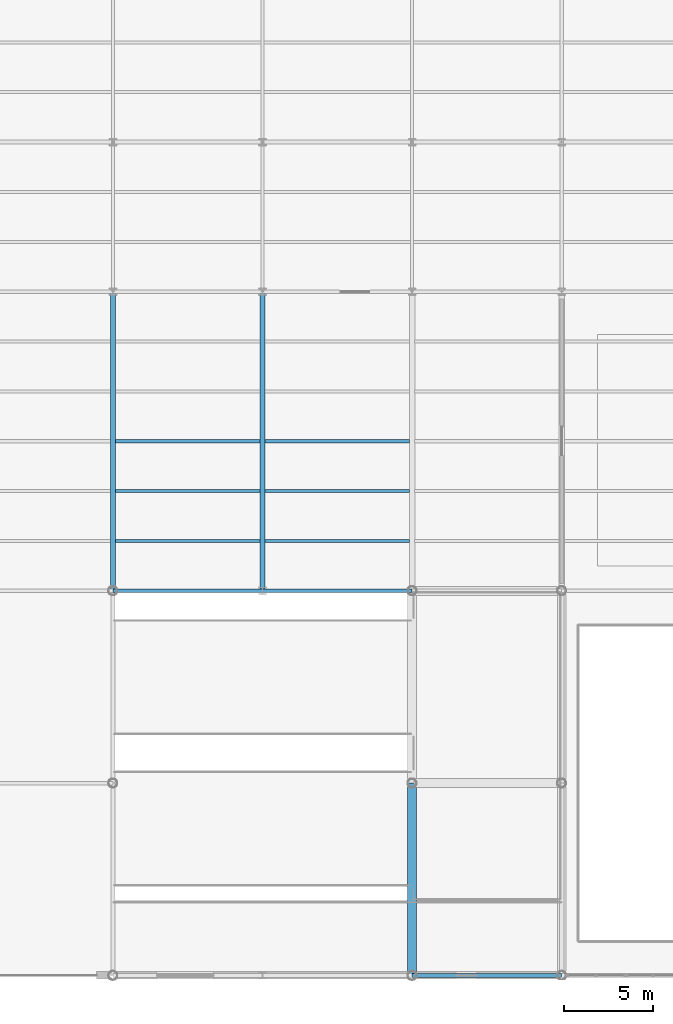
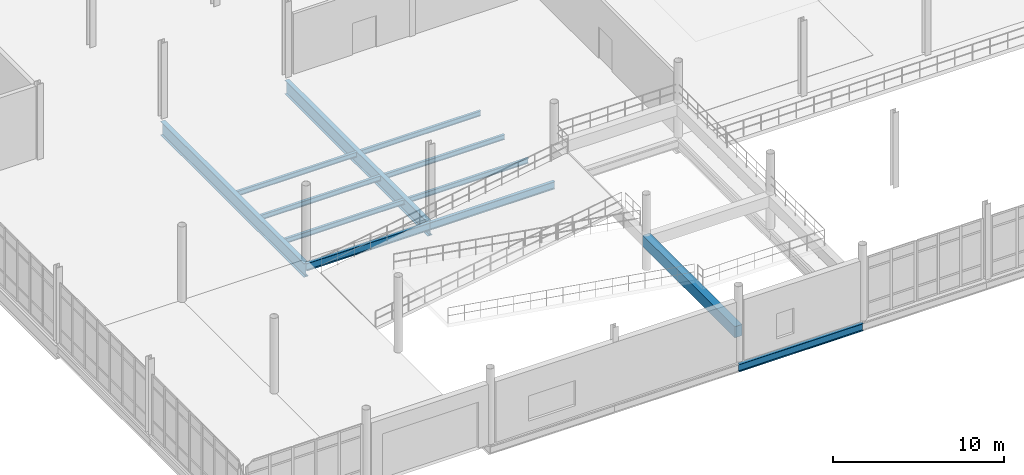
# One storey, part 24 of 111: 12 beams.
"""IFC4 building model written with IfcOpenShell, lengths in metres."""

import ifcopenshell
import ifcopenshell.guid

model = None  # the IFC model being written
_history = None  # IfcOwnerHistory: only IFC2X3 demands one
_inside = {}  # id of a spatial element -> (the spatial element, [elements in it])
_under = {}  # id of a project, library or spatial element -> (it, [spatial elements below it])
_declared = {}  # id of a project -> (the project, [libraries it declares])
_typed = {}  # id of a type object -> (the type object, [elements of that type])
_made_of = {}  # id of a material, layer set ... -> (it, [elements and type objects made of it])


def new_model(schema):
    """Start an empty IFC model of exactly this schema.

    Asked for "IFC4X3", IfcOpenShell would pick the latest addendum, in which some entities
    have other attributes; the version numbers below select the first issue.
    IFC2X3 requires an IfcOwnerHistory on every rooted entity: one is made here for all.
    """
    global model, _history
    if schema == "IFC4X3":
        model = ifcopenshell.file(schema_version=(4, 3, 0, 0))
    else:
        model = ifcopenshell.file(schema=schema)
    _inside.clear()
    _under.clear()
    _declared.clear()
    _typed.clear()
    _made_of.clear()
    _history = None
    if model.schema == "IFC2X3":
        org = make("IfcOrganization", Name="unknown")
        user = make(
            "IfcPersonAndOrganization",
            ThePerson=make("IfcPerson", FamilyName="unknown"),
            TheOrganization=org,
        )
        app = make(
            "IfcApplication",
            ApplicationDeveloper=org,
            Version="unknown",
            ApplicationFullName="unknown",
            ApplicationIdentifier="unknown",
        )
        _history = make(
            "IfcOwnerHistory",
            OwningUser=user,
            OwningApplication=app,
            ChangeAction="ADDED",
            CreationDate=0,
        )
    return model


def make(cls, **values):
    """One entity of the class cls with the attributes given. An attribute that is None is left unset."""
    return model.create_entity(
        cls, **{name: value for name, value in values.items() if value is not None}
    )


def rooted(cls, **values):
    """An entity with a GlobalId (a new one), such as an element, a storey or a relation."""
    return make(cls, GlobalId=ifcopenshell.guid.new(), OwnerHistory=_history, **values)


def si_unit(unit_type, name, prefix=None):
    """IfcSIUnit, for example si_unit("LENGTHUNIT", "METRE", prefix="MILLI")."""
    return make("IfcSIUnit", UnitType=unit_type, Prefix=prefix, Name=name)


def assignment(units):
    """IfcUnitAssignment: the units of a project."""
    return None if units is None else make("IfcUnitAssignment", Units=units)


def point(xyz):
    """IfcCartesianPoint."""
    return None if xyz is None else make("IfcCartesianPoint", Coordinates=xyz)


def direction(xyz):
    """IfcDirection."""
    return None if xyz is None else make("IfcDirection", DirectionRatios=xyz)


def frame(location, z_axis=None, x_axis=None):
    """IfcAxis2Placement3D, a coordinate frame: its origin and axes. An axis left out is left unset."""
    return make(
        "IfcAxis2Placement3D",
        Location=point(location),
        Axis=direction(z_axis),
        RefDirection=direction(x_axis),
    )


def frame_2d(location, x_axis=None):
    """IfcAxis2Placement2D, a coordinate frame in the plane: its origin and x axis."""
    return make(
        "IfcAxis2Placement2D", Location=point(location), RefDirection=direction(x_axis)
    )


def origin():
    """The frame at (0, 0, 0) with its axes left unset."""
    return frame((0.0, 0.0, 0.0))


def origin_2d():
    """The frame at (0, 0) in the plane with its x axis left unset."""
    return frame_2d((0.0, 0.0))


def place(relative_to, where):
    """IfcLocalPlacement: puts the frame where relative to a parent placement (None: the world)."""
    return make(
        "IfcLocalPlacement", PlacementRelTo=relative_to, RelativePlacement=where
    )


def context(
    kind, dimensions, precision=None, world=None, true_north=None, identifier=None
):
    """IfcGeometricRepresentationContext, for example the 3D "Model" context."""
    return make(
        "IfcGeometricRepresentationContext",
        ContextIdentifier=identifier,
        ContextType=kind,
        CoordinateSpaceDimension=dimensions,
        Precision=precision,
        WorldCoordinateSystem=world,
        TrueNorth=true_north,
    )


def subcontext(parent, identifier, kind, view, scale=None):
    """IfcGeometricRepresentationSubContext, for example "Body" below "Model"."""
    return make(
        "IfcGeometricRepresentationSubContext",
        ContextIdentifier=identifier,
        ContextType=kind,
        ParentContext=parent,
        TargetScale=scale,
        TargetView=view,
    )


def project(units=None, contexts=None):
    """IfcProject with its units and contexts."""
    return rooted(
        "IfcProject",
        Name="project",
        RepresentationContexts=contexts,
        UnitsInContext=assignment(units),
    )


def spatial(cls, under=None, at=None, **own):
    """A site, building, storey or space (cls), placed at a placement, below another one or the project."""
    s = rooted(cls, ObjectPlacement=at, **own)
    if under is not None:
        _under.setdefault(under.id(), (under, []))[1].append(s)
    return s


def profile(cls, at=None, kind="AREA", **sizes):
    """A parametric profile (cls). Its sizes go by their IFC names, for example OverallWidth=200.0."""
    return make(cls, ProfileType=kind, Position=at, **sizes)


def rectangle(**sizes):
    """IfcRectangleProfileDef."""
    return profile("IfcRectangleProfileDef", **sizes)


def i_section(**sizes):
    """IfcIShapeProfileDef."""
    return profile("IfcIShapeProfileDef", **sizes)


def extrude(swept, where, along, depth):
    """IfcExtrudedAreaSolid: the profile swept, set in the frame where, extruded along a direction by depth."""
    return make(
        "IfcExtrudedAreaSolid",
        SweptArea=swept,
        Position=where,
        ExtrudedDirection=direction(along),
        Depth=depth,
    )


def shape(context_of_items, identifier, shape_type, items):
    """IfcShapeRepresentation: the items that make up one representation, for example the "Body"."""
    return make(
        "IfcShapeRepresentation",
        ContextOfItems=context_of_items,
        RepresentationIdentifier=identifier,
        RepresentationType=shape_type,
        Items=items,
    )


def material(Name=None, Category=None):
    """IfcMaterial."""
    return make("IfcMaterial", Name=Name, Category=Category)


def material_profile(
    of_material, cross_section, Name=None, Category=None, Priority=None
):
    """IfcMaterialProfile: a cross section and its material."""
    return make(
        "IfcMaterialProfile",
        Name=Name,
        Material=of_material,
        Profile=cross_section,
        Priority=Priority,
        Category=Category,
    )


def profile_set(profiles, Name=None, composite=None):
    """IfcMaterialProfileSet."""
    return make(
        "IfcMaterialProfileSet",
        Name=Name,
        MaterialProfiles=profiles,
        CompositeProfile=composite,
    )


def made_of(thing, what):
    """Note that an element or type object is made of a material, layer set ...; save() writes the relation."""
    if what is not None:
        _made_of.setdefault(what.id(), (what, []))[1].append(thing)
    return thing


def type_object(cls, material=None, **own):
    """A type object (cls), such as IfcWallType, which elements share."""
    return made_of(rooted(cls, **own), material)


def element(
    cls,
    number,
    at=None,
    inside=None,
    cuts=None,
    type_object=None,
    material=None,
    context=None,
    identifier="Body",
    shape_type=None,
    held_by="IfcProductDefinitionShape",
    body=None,
    shapes=None,
    **own,
):
    """One element of the class cls, such as IfcWall. Its Tag is "e" and its number.

    at: its placement. inside: the storey or other place that contains it. cuts: it is an
    opening in that element (IfcRelVoidsElement). A single representation is given by context,
    identifier, shape_type and body (its items); several are given by shapes. held_by: the class
    of the entity that holds the representations. save() writes the other relations.
    """
    e = rooted(cls, Tag="e%d" % number, ObjectPlacement=at, **own)
    if body is not None:
        shapes = [shape(context, identifier, shape_type, body)]
    if shapes is not None:
        e.Representation = make(held_by, Representations=shapes)
    if inside is not None:
        _inside.setdefault(inside.id(), (inside, []))[1].append(e)
    if cuts is not None:
        rooted(
            "IfcRelVoidsElement", RelatingBuildingElement=cuts, RelatedOpeningElement=e
        )
    if type_object is not None:
        _typed.setdefault(type_object.id(), (type_object, []))[1].append(e)
    return made_of(e, material)


def aggregate(whole, parts):
    """IfcRelAggregates: a whole, such as a stair, and the parts it consists of."""
    return rooted("IfcRelAggregates", RelatingObject=whole, RelatedObjects=parts)


def save(model, path):
    """Write the relations noted so far, then the file.

    IfcRelAggregates (storeys below a building ...), IfcRelContainedInSpatialStructure (elements
    in a storey), IfcRelDefinesByType, IfcRelAssociatesMaterial and IfcRelDeclares: one each for
    every whole, place, type object, material and project.
    """
    for whole, parts in _under.values():
        aggregate(whole, parts)
    for where, things in _inside.values():
        rooted(
            "IfcRelContainedInSpatialStructure",
            RelatedElements=things,
            RelatingStructure=where,
        )
    for kind, things in _typed.values():
        rooted("IfcRelDefinesByType", RelatedObjects=things, RelatingType=kind)
    for what, things in _made_of.values():
        rooted("IfcRelAssociatesMaterial", RelatedObjects=things, RelatingMaterial=what)
    for by, libraries in _declared.values():
        rooted("IfcRelDeclares", RelatingContext=by, RelatedDefinitions=libraries)
    model.write(path)


model = new_model("IFC4")

# Units and contexts
model_context = context("Model", 3, precision=1e-05, world=origin(), true_north=direction((0.0, 1.0)))
body_context = subcontext(model_context, "Body", "Model", "MODEL_VIEW")
ifc_project = project(units=[si_unit("LENGTHUNIT", "METRE"), si_unit("AREAUNIT", "SQUARE_METRE"), si_unit("VOLUMEUNIT", "CUBIC_METRE"), si_unit("PLANEANGLEUNIT", "RADIAN"), si_unit("MASSUNIT", "GRAM", prefix="KILO"), si_unit("THERMODYNAMICTEMPERATUREUNIT", "KELVIN"), si_unit("POWERUNIT", "WATT")], contexts=[model_context])

# Site, building, storey
site_placement = place(None, origin())
site = spatial("IfcSite", under=ifc_project, at=site_placement, CompositionType="ELEMENT")
building_placement = place(site_placement, origin())
building = spatial("IfcBuilding", under=site, at=building_placement, Name="Tembeka Court Mobility Hub", CompositionType="ELEMENT")
storey_placement = place(building_placement, origin())
storey = spatial("IfcBuildingStorey", under=building, at=storey_placement, Name="L00", CompositionType="ELEMENT", Elevation=0.0)

# Beams
ifc_material_1 = material(Name="Concrete C40/50", Category="concrete")
ifc_material_profile_1 = material_profile(ifc_material_1, rectangle(XDim=0.5, YDim=0.800048828125, at=origin_2d()), Name="RC-BM 500x800")
ifc_profile_set_1 = profile_set([ifc_material_profile_1], Name="Concrete C40/50")
beam_type_1 = type_object("IfcBeamType", Name="BM-B05", PredefinedType="BEAM", material=ifc_profile_set_1)
beam_1_placement = place(storey_placement, frame((33.60009765625, 0.0, 2.050048828125), z_axis=(0.0, 1.0, 0.0), x_axis=(-1.0, 0.0, 0.0)))
element("IfcBeam", 1, at=beam_1_placement, inside=storey, type_object=beam_type_1, Name="Car park vehicle ramp South R2 L00 half-landing beam EM1", PredefinedType="BEAM", context=body_context, shape_type="SweptSolid", body=[
    extrude(rectangle(XDim=0.5, YDim=0.800048828125, at=origin_2d()), origin(), (0.0, 0.0, 1.0), 10.800048828125),
])
ifc_material_2 = material(Name="Steel S355", Category="steel")
ifc_material_profile_2 = material_profile(ifc_material_2, i_section(OverallWidth=0.2099609375, OverallDepth=0.537109375, WebThickness=0.0107421875, FlangeThickness=0.017333984375, FilletRadius=0.0126953125, at=origin_2d()), Name="UKB 533x210x101")
ifc_profile_set_2 = profile_set([ifc_material_profile_2], Name="Steel S355")
beam_type_2 = type_object("IfcBeamType", Name="BM-G03", PredefinedType="USERDEFINED", material=ifc_profile_set_2)
for number, where, z_axis, x_axis, name in (
    (2, (33.60009765625, 0.0, -0.548583984375), (1.0, 0.0, 0.0), (0.0, 1.0, 0.0), "Beam G03 (BM-L00-X0004)"),
    (3, (16.800048828125, 21.60009765625, -0.548583984375), (1.0, 0.0, 0.0), (0.0, 1.0, 0.0), "Beam G03 (BM-L00-X0026)"),
):
    element("IfcBeam", number, at=place(storey_placement, frame(where, z_axis=z_axis, x_axis=x_axis)), inside=storey, type_object=beam_type_2, Name=name, ObjectType="GIRDER", PredefinedType="USERDEFINED", context=body_context, shape_type="SweptSolid", body=[
        extrude(i_section(OverallWidth=0.2099609375, OverallDepth=0.537109375, WebThickness=0.0107421875, FlangeThickness=0.017333984375, FilletRadius=0.0126953125, at=origin_2d()), origin(), (0.0, 0.0, 1.0), 8.39990234375),
    ])
beam_2_placement = place(storey_placement, frame((25.199951171875, 21.60009765625, -0.548583984375), z_axis=(1.0, 0.0, 0.0), x_axis=(0.0, 1.0, 0.0)))
element("IfcBeam", 4, at=beam_2_placement, inside=storey, type_object=beam_type_2, Name="Beam G03 (BM-L00-X0027)", ObjectType="GIRDER", PredefinedType="USERDEFINED", context=body_context, shape_type="SweptSolid", body=[
    extrude(i_section(OverallWidth=0.2099609375, OverallDepth=0.537109375, WebThickness=0.0107421875, FlangeThickness=0.017333984375, FilletRadius=0.0126953125, at=origin_2d()), origin(), (0.0, 0.0, 1.0), 8.400146484375),
])
ifc_material_profile_3 = material_profile(ifc_material_2, i_section(OverallWidth=0.172119140625, OverallDepth=0.35498046875, WebThickness=0.00732421875, FlangeThickness=0.011474609375, FilletRadius=0.01025390625, at=origin_2d()), Name="UKB 356x171x51")
ifc_profile_set_3 = profile_set([ifc_material_profile_3], Name="Steel S355")
beam_type_3 = type_object("IfcBeamType", Name="BM-J01", PredefinedType="JOIST", material=ifc_profile_set_3)
for number, where, z_axis, x_axis, name in (
    (5, (16.945068359375, 24.39990234375, -0.45751953125), (1.0, 0.0, 0.0), (0.0, 1.0, 0.0), "Beam J01 (JST-L00-0358)"),
    (6, (16.945068359375, 27.199951171875, -0.45751953125), (1.0, 0.0, 0.0), (0.0, 1.0, 0.0), "Beam J01 (JST-L00-0359)"),
    (7, (16.945068359375, 30.0, -0.45751953125), (1.0, 0.0, 0.0), (0.0, 1.0, 0.0), "Beam J01 (JST-L00-0360)"),
):
    element("IfcBeam", number, at=place(storey_placement, frame(where, z_axis=z_axis, x_axis=x_axis)), inside=storey, type_object=beam_type_3, Name=name, PredefinedType="JOIST", context=body_context, shape_type="SweptSolid", body=[
        extrude(i_section(OverallWidth=0.172119140625, OverallDepth=0.35498046875, WebThickness=0.00732421875, FlangeThickness=0.011474609375, FilletRadius=0.01025390625, at=origin_2d()), origin(), (0.0, 0.0, 1.0), 8.10986328125),
    ])
for number, where, z_axis, x_axis, name in (
    (8, (25.344970703125, 24.39990234375, -0.45751953125), (1.0, 0.0, 0.0), (0.0, 1.0, 0.0), "Beam J01 (JST-L00-0378)"),
    (9, (25.344970703125, 27.199951171875, -0.45751953125), (1.0, 0.0, 0.0), (0.0, 1.0, 0.0), "Beam J01 (JST-L00-0379)"),
    (10, (25.344970703125, 30.0, -0.45751953125), (1.0, 0.0, 0.0), (0.0, 1.0, 0.0), "Beam J01 (JST-L00-0380)"),
):
    element("IfcBeam", number, at=place(storey_placement, frame(where, z_axis=z_axis, x_axis=x_axis)), inside=storey, type_object=beam_type_3, Name=name, PredefinedType="JOIST", context=body_context, shape_type="SweptSolid", body=[
        extrude(i_section(OverallWidth=0.172119140625, OverallDepth=0.35498046875, WebThickness=0.00732421875, FlangeThickness=0.011474609375, FilletRadius=0.01025390625, at=origin_2d()), origin(), (0.0, 0.0, 1.0), 8.110107421875),
    ])
ifc_material_profile_4 = material_profile(ifc_material_2, i_section(OverallWidth=0.300048828125, OverallDepth=1.0, WebThickness=0.01904296875, FlangeThickness=0.035888671875, FilletRadius=0.030029296875, at=origin_2d()), Name="HEB 1000")
ifc_profile_set_4 = profile_set([ifc_material_profile_4], Name="Steel S355")
beam_type_4 = type_object("IfcBeamType", Name="BM-TG01", PredefinedType="USERDEFINED", material=ifc_profile_set_4)
for number, where, z_axis, x_axis, name in (
    (11, (16.800048828125, 21.60009765625, -0.780029296875), (0.0, 1.0, 0.0), (-1.0, 0.0, 0.0), "Beam TG01 (BM-L00-Y0188)"),
    (12, (25.199951171875, 21.60009765625, -0.780029296875), (0.0, 1.0, 0.0), (-1.0, 0.0, 0.0), "Beam TG01 (BM-L00-Y0197)"),
):
    element("IfcBeam", number, at=place(storey_placement, frame(where, z_axis=z_axis, x_axis=x_axis)), inside=storey, type_object=beam_type_4, Name=name, ObjectType="GIRDER", PredefinedType="USERDEFINED", context=body_context, shape_type="SweptSolid", body=[
        extrude(i_section(OverallWidth=0.300048828125, OverallDepth=1.0, WebThickness=0.01904296875, FlangeThickness=0.035888671875, FilletRadius=0.030029296875, at=origin_2d()), origin(), (0.0, 0.0, 1.0), 16.7998046875),
    ])

save(model, "model.ifc")
